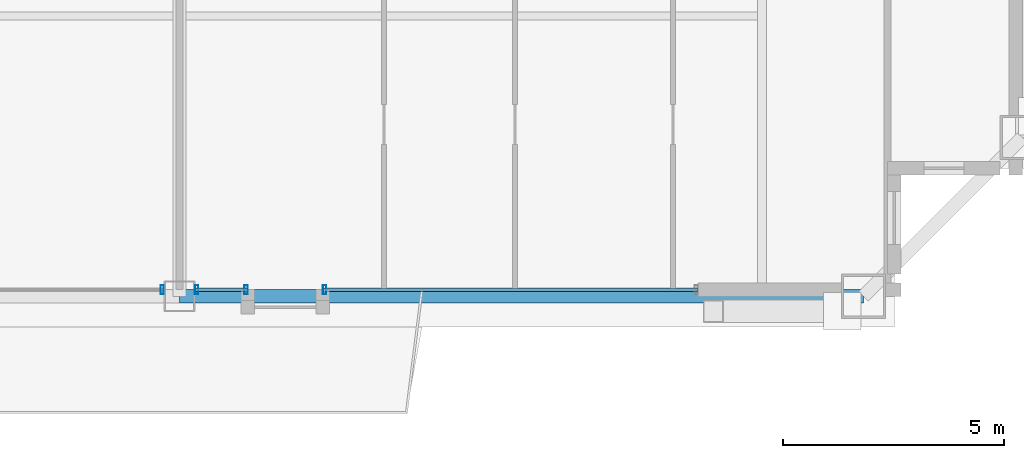
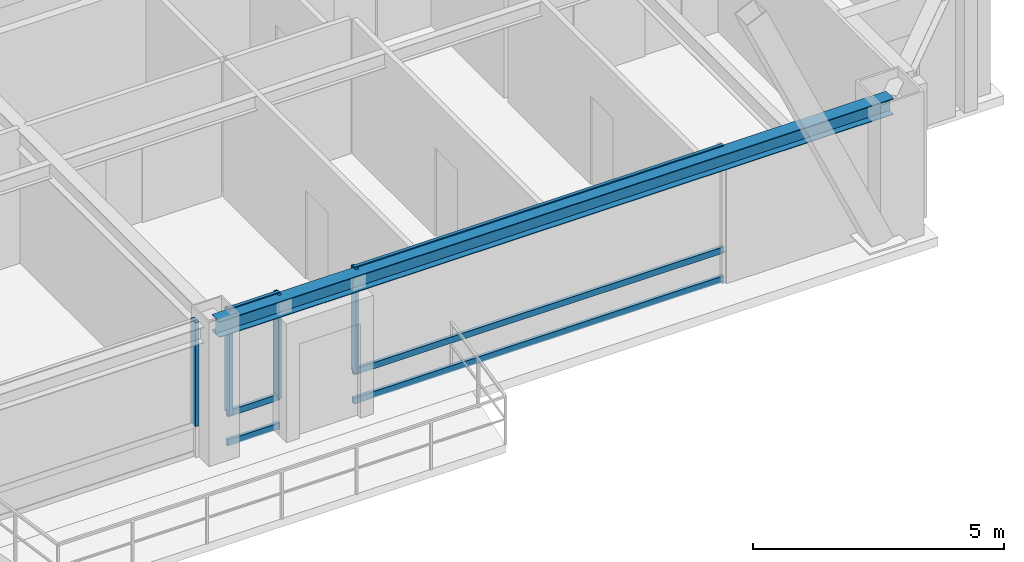
# One storey, part 7 of 33: 10 members, 1 beam, 3 elements without a shape of their own.
"""IFC4 building model written with IfcOpenShell, lengths in metres."""

from ifc_helpers import new_model, si_unit, direction, frame, origin, origin_2d, place, context, subcontext, project, spatial, hollow_rectangle, i_section, extrude, source, transform, mapped, material, layer, layer_set, material_profile, profile_set, type_object, element, aggregate, save


model = new_model("IFC4")

# Units and contexts
model_context = context("Model", 3, precision=1e-05, world=origin(), true_north=direction((0.0, 1.0)))
body_context = subcontext(model_context, "Body", "Model", "MODEL_VIEW")
ifc_project = project(units=[si_unit("LENGTHUNIT", "METRE"), si_unit("AREAUNIT", "SQUARE_METRE"), si_unit("VOLUMEUNIT", "CUBIC_METRE"), si_unit("PLANEANGLEUNIT", "RADIAN"), si_unit("MASSUNIT", "GRAM", prefix="KILO"), si_unit("THERMODYNAMICTEMPERATUREUNIT", "KELVIN"), si_unit("POWERUNIT", "WATT")], contexts=[model_context])

# Site, building, storey
site_placement = place(None, origin())
site = spatial("IfcSite", under=ifc_project, at=site_placement, CompositionType="ELEMENT")
building_placement = place(site_placement, origin())
building = spatial("IfcBuilding", under=site, at=building_placement, Name="Yuzanri Waterfront Tower", CompositionType="ELEMENT")
storey_placement = place(building_placement, frame((0.0, 0.0, 321.699951171875)))
storey = spatial("IfcBuildingStorey", under=building, at=storey_placement, Name="L86", CompositionType="ELEMENT", Elevation=321.699951171875)

# Beam
ifc_material_1 = material(Name="Steel Q355B", Category="steel")
ifc_material_profile_1 = material_profile(ifc_material_1, i_section(OverallWidth=0.300048828125, OverallDepth=0.389892578125, WebThickness=0.010009765625, FlangeThickness=0.01611328125, at=origin_2d()), Name="HM 390x300x10x16")
ifc_profile_set_1 = profile_set([ifc_material_profile_1], Name="Steel Q355B")
beam_type = type_object("IfcBeamType", Name="Perimeter Spandrel Q355B HM 390x300", PredefinedType="SPANDREL", material=ifc_profile_set_1)
shared_shape_1 = source(origin(), body_context, "Body", "SweptSolid", [
    extrude(i_section(OverallWidth=0.300048828125, OverallDepth=0.389892578125, WebThickness=0.010009765625, FlangeThickness=0.01611328125, at=origin_2d()), origin(), (0.0, 0.0, 1.0), 15.5),
])
beam_placement = place(storey_placement, frame((37.0, 6.699951171875, 3.0849609375), z_axis=(1.0, 0.0, 0.0), x_axis=(0.0, 1.0, 0.0)))
element("IfcBeam", 1, at=beam_placement, inside=storey, type_object=beam_type, Name="L86 Perimeter Spandrel S2-S3", PredefinedType="SPANDREL", context=body_context, shape_type="MappedRepresentation", body=[
    mapped(shared_shape_1, transform((0.0, 0.0, 0.0), scale=1.0)),
])

# Curtain wall, member
ifc_material_2 = material(Name="Anodized Architectural Bronze", Category="metal")
ifc_layer = layer(ifc_material_2, 0.159912109375)
ifc_layer_set = layer_set([ifc_layer], Name="Anodized Architectural Bronze")
curtain_wall_type = type_object("IfcCurtainWallType", Name="Anodized Bronze High-Rise Penthouse High-Wind Unitized Curtain Wall 6900", PredefinedType="NOTDEFINED", material=ifc_layer_set)
curtain_wall_1_placement = place(storey_placement, origin())
curtain_wall_1 = element("IfcCurtainWall", 2, at=curtain_wall_1_placement, inside=storey, type_object=curtain_wall_type, Name="L86 Curtain Wall CW-L86-SL", PredefinedType="NOTDEFINED")
ifc_material_3 = material(Name="Anodized Architectural Bronze", Category="metal")
ifc_material_profile_2 = material_profile(ifc_material_3, hollow_rectangle(XDim=0.074951171875, YDim=0.199951171875, WallThickness=0.00390625, at=origin_2d()), Name="CWM 75x200")
ifc_profile_set_2 = profile_set([ifc_material_profile_2], Name="Anodized Architectural Bronze")
member_type_1 = type_object("IfcMemberType", Name="Anodized Bronze Primary Curtain-Wall Mullion 75x200", PredefinedType="MULLION", material=ifc_profile_set_2)
shared_shape_2 = source(origin(), body_context, "Body", "SweptSolid", [
    extrude(hollow_rectangle(XDim=0.074951171875, YDim=0.199951171875, WallThickness=0.00390625, at=origin_2d()), origin(), (0.0, 0.0, 1.0), 2.52392578125),
])
member_1_placement = place(storey_placement, frame((36.610107421875, 6.85009765625, 0.756103515625), z_axis=(0.0, 0.0, 1.0), x_axis=(1.0, 0.0, 0.0)))
member_1 = element("IfcMember", 3, at=member_1_placement, type_object=member_type_1, Name="CW-L86-SL Upper Mullion 02", PredefinedType="MULLION", context=body_context, shape_type="MappedRepresentation", body=[
    mapped(shared_shape_2, transform((0.0, 0.0, 0.0), scale=1.0)),
])
aggregate(curtain_wall_1, [member_1])

# Curtain wall, members
curtain_wall_2_placement = place(storey_placement, origin())
curtain_wall_2 = element("IfcCurtainWall", 4, at=curtain_wall_2_placement, inside=storey, type_object=curtain_wall_type, Name="L86 Curtain Wall CW-L86-SR1", PredefinedType="NOTDEFINED")
member_2_placement = place(storey_placement, frame((37.389892578125, 6.85009765625, 0.756103515625), z_axis=(0.0, 0.0, 1.0), x_axis=(1.0, 0.0, 0.0)))
member_2 = element("IfcMember", 5, at=member_2_placement, type_object=member_type_1, Name="CW-L86-SR1 Upper Mullion 00", PredefinedType="MULLION", context=body_context, shape_type="MappedRepresentation", body=[
    mapped(shared_shape_2, transform((0.0, 0.0, 0.0), scale=1.0)),
])
member_3_placement = place(storey_placement, frame((38.510009765625, 6.85009765625, 0.756103515625), z_axis=(0.0, 0.0, 1.0), x_axis=(1.0, 0.0, 0.0)))
member_3 = element("IfcMember", 6, at=member_3_placement, type_object=member_type_1, Name="CW-L86-SR1 Upper Mullion 01", PredefinedType="MULLION", context=body_context, shape_type="MappedRepresentation", body=[
    mapped(shared_shape_2, transform((0.0, 0.0, 0.0), scale=1.0)),
])

# Curtain wall, member
curtain_wall_3_placement = place(storey_placement, origin())
curtain_wall_3 = element("IfcCurtainWall", 7, at=curtain_wall_3_placement, inside=storey, type_object=curtain_wall_type, Name="L86 Curtain Wall CW-L86-SR2", PredefinedType="NOTDEFINED")
member_4_placement = place(storey_placement, frame((40.2900390625, 6.85009765625, 0.756103515625), z_axis=(0.0, 0.0, 1.0), x_axis=(1.0, 0.0, 0.0)))
member_4 = element("IfcMember", 8, at=member_4_placement, type_object=member_type_1, Name="CW-L86-SR2 Upper Mullion 00", PredefinedType="MULLION", context=body_context, shape_type="MappedRepresentation", body=[
    mapped(shared_shape_2, transform((0.0, 0.0, 0.0), scale=1.0)),
])

# Member
ifc_material_4 = material(Name="Anodized Architectural Bronze", Category="metal")
ifc_material_profile_3 = material_profile(ifc_material_4, hollow_rectangle(XDim=0.074951171875, YDim=0.14990234375, WallThickness=0.00390625, at=origin_2d()), Name="CWT 75x150")
ifc_profile_set_3 = profile_set([ifc_material_profile_3], Name="Anodized Architectural Bronze")
member_type_2 = type_object("IfcMemberType", Name="Anodized Bronze Primary Curtain-Wall Transom 75x150", PredefinedType="USERDEFINED", material=ifc_profile_set_3)
shared_shape_3 = source(origin(), body_context, "Body", "SweptSolid", [
    extrude(hollow_rectangle(XDim=0.074951171875, YDim=0.14990234375, WallThickness=0.00390625, at=origin_2d()), origin(), (0.0, 0.0, 1.0), 1.199951171875),
])
member_5_placement = place(storey_placement, frame((37.35009765625, 6.85009765625, 0.050048828125), z_axis=(1.0, 0.0, 0.0), x_axis=(0.0, 1.0, 0.0)))
member_5 = element("IfcMember", 9, at=member_5_placement, type_object=member_type_2, Name="CW-L86-SR1 Transom 1", ObjectType="TRANSOM", PredefinedType="USERDEFINED", context=body_context, shape_type="MappedRepresentation", body=[
    mapped(shared_shape_3, transform((0.0, 0.0, 0.0), scale=1.0)),
])

member_6_placement = place(storey_placement, frame((37.35009765625, 6.85009765625, 0.754150390625), z_axis=(1.0, 0.0, 0.0), x_axis=(0.0, 1.0, 0.0)))
member_6 = element("IfcMember", 10, at=member_6_placement, type_object=member_type_2, Name="CW-L86-SR1 Transom 2", ObjectType="TRANSOM", PredefinedType="USERDEFINED", context=body_context, shape_type="MappedRepresentation", body=[
    mapped(shared_shape_3, transform((0.0, 0.0, 0.0), scale=1.0)),
])

member_7_placement = place(storey_placement, frame((37.35009765625, 6.85009765625, 3.22998046875), z_axis=(1.0, 0.0, 0.0), x_axis=(0.0, 1.0, 0.0)))
member_7 = element("IfcMember", 11, at=member_7_placement, type_object=member_type_2, Name="CW-L86-SR1 Transom 3", ObjectType="TRANSOM", PredefinedType="USERDEFINED", context=body_context, shape_type="MappedRepresentation", body=[
    mapped(shared_shape_3, transform((0.0, 0.0, 0.0), scale=1.0)),
])

aggregate(curtain_wall_2, [member_2, member_3, member_5, member_6, member_7])

shared_shape_4 = source(origin(), body_context, "Body", "SweptSolid", [
    extrude(hollow_rectangle(XDim=0.074951171875, YDim=0.14990234375, WallThickness=0.00390625, at=origin_2d()), origin(), (0.0, 0.0, 1.0), 8.5),
])
member_8_placement = place(storey_placement, frame((40.25, 6.85009765625, 0.050048828125), z_axis=(1.0, 0.0, 0.0), x_axis=(0.0, 1.0, 0.0)))
member_8 = element("IfcMember", 12, at=member_8_placement, type_object=member_type_2, Name="CW-L86-SR2 Transom 1", ObjectType="TRANSOM", PredefinedType="USERDEFINED", context=body_context, shape_type="MappedRepresentation", body=[
    mapped(shared_shape_4, transform((0.0, 0.0, 0.0), scale=1.0)),
])

member_9_placement = place(storey_placement, frame((40.25, 6.85009765625, 0.754150390625), z_axis=(1.0, 0.0, 0.0), x_axis=(0.0, 1.0, 0.0)))
member_9 = element("IfcMember", 13, at=member_9_placement, type_object=member_type_2, Name="CW-L86-SR2 Transom 2", ObjectType="TRANSOM", PredefinedType="USERDEFINED", context=body_context, shape_type="MappedRepresentation", body=[
    mapped(shared_shape_4, transform((0.0, 0.0, 0.0), scale=1.0)),
])

member_10_placement = place(storey_placement, frame((40.25, 6.85009765625, 3.22998046875), z_axis=(1.0, 0.0, 0.0), x_axis=(0.0, 1.0, 0.0)))
member_10 = element("IfcMember", 14, at=member_10_placement, type_object=member_type_2, Name="CW-L86-SR2 Transom 3", ObjectType="TRANSOM", PredefinedType="USERDEFINED", context=body_context, shape_type="MappedRepresentation", body=[
    mapped(shared_shape_4, transform((0.0, 0.0, 0.0), scale=1.0)),
])

aggregate(curtain_wall_3, [member_4, member_8, member_9, member_10])

save(model, "model.ifc")
